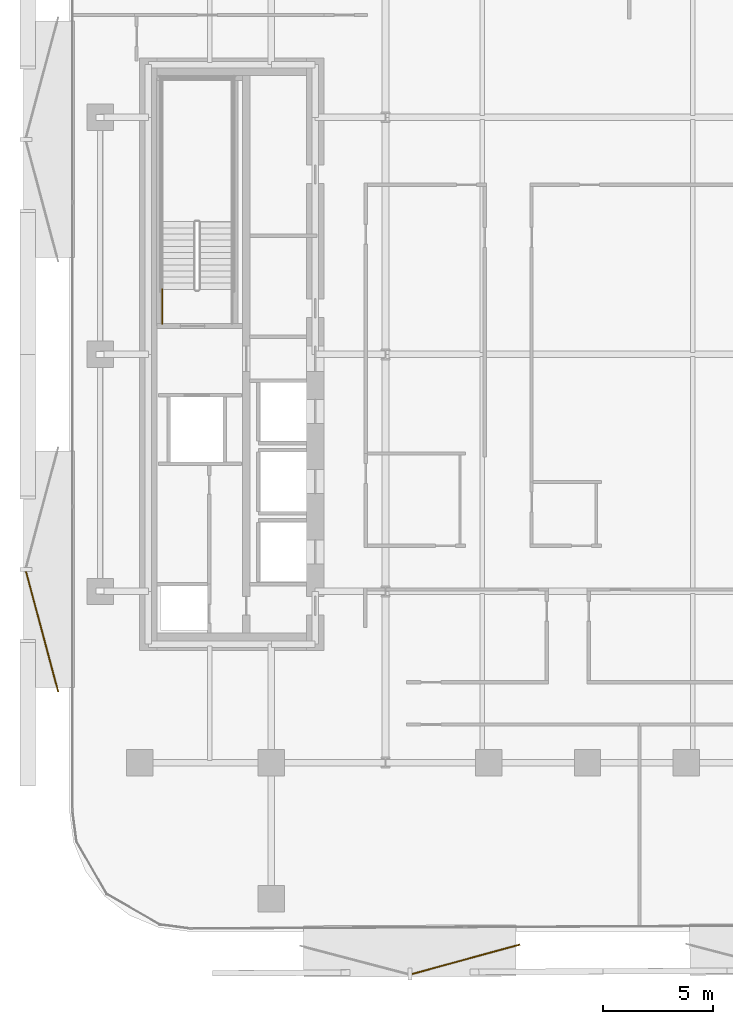
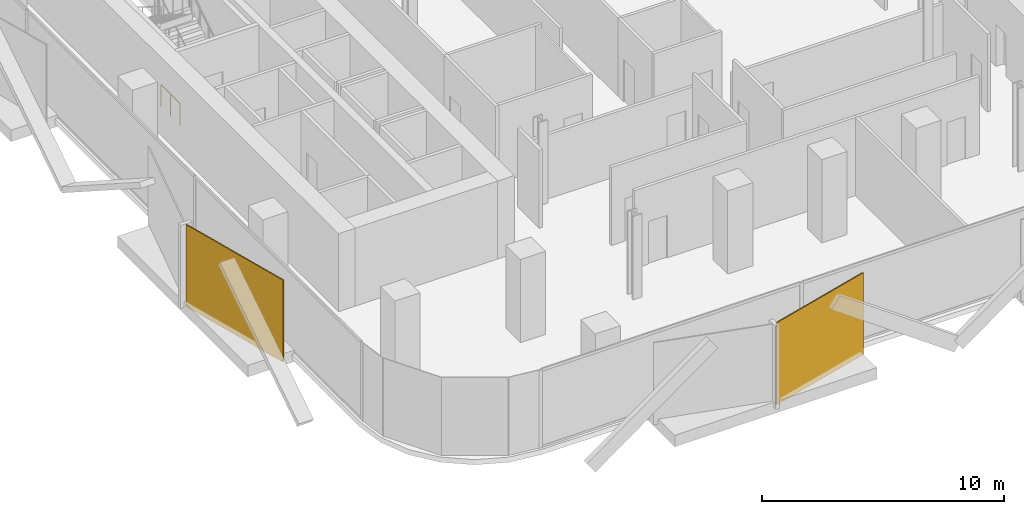
# One storey, part 11 of 15: 2 coverings, 1 railing.
"""IFC4 building model written with IfcOpenShell, lengths in metres."""

from ifc_helpers import new_model, si_unit, direction, frame, origin, origin_2d, place, context, subcontext, project, spatial, rectangle, circle, extrude, material, layer, layer_set, type_object, element, save


model = new_model("IFC4")

# Units and contexts
model_context = context("Model", 3, precision=1e-05, world=origin(), true_north=direction((0.0, 1.0)))
body_context = subcontext(model_context, "Body", "Model", "MODEL_VIEW")
ifc_project = project(units=[si_unit("LENGTHUNIT", "METRE"), si_unit("AREAUNIT", "SQUARE_METRE"), si_unit("VOLUMEUNIT", "CUBIC_METRE"), si_unit("PLANEANGLEUNIT", "RADIAN"), si_unit("MASSUNIT", "GRAM", prefix="KILO")], contexts=[model_context])

# Site, building, storey
site_placement = place(None, origin())
site = spatial("IfcSite", under=ifc_project, at=site_placement, CompositionType="ELEMENT")
building_placement = place(site_placement, origin())
building = spatial("IfcBuilding", under=site, at=building_placement, Name="Khairoan Windgate Tower", CompositionType="ELEMENT")
storey_placement = place(building_placement, frame((0.0, 0.0, 105.800048828125)))
storey = spatial("IfcBuildingStorey", under=building, at=storey_placement, Name="L24", CompositionType="ELEMENT", Elevation=105.800048828125)

# Coverings
ifc_material_1 = material(Name="Anodised Bronze Aluminium 6063-T6", Category="aluminium")
ifc_layer = layer(ifc_material_1, 0.054931640625, Name="Anodised Bronze Aluminium 6063-T6")
ifc_layer_set = layer_set([ifc_layer], Name="Anodised Bronze Aluminium 6063-T6")
covering_type = type_object("IfcCoveringType", Name="Perforated Bronze-Ceramic Folded Solar Screen Cladding BSC-1", PredefinedType="CLADDING", material=ifc_layer_set)
covering_1_placement = place(storey_placement, frame((-5.53564453125, -27.55859375, -0.10009765625), z_axis=(0.0, 0.0, 1.0), x_axis=(-0.964649468762, -0.263536339841, 0.0)))
element("IfcCovering", 1, at=covering_1_placement, inside=storey, type_object=covering_type, Name="L24 Folded Bronze Solar Screen Facet 138L", PredefinedType="CLADDING", context=body_context, shape_type="SweptSolid", body=[
    extrude(rectangle(XDim=5.10107421875, YDim=0.054931640625, at=origin_2d()), origin(), (0.0, 0.0, 1.0), 4.139892578125),
])
covering_2_placement = place(storey_placement, frame((-24.8447265625, -12.629150390625, -0.10009765625), z_axis=(0.0, 0.0, 1.0), x_axis=(-0.258819045103, 0.965925826289, 0.0)))
element("IfcCovering", 2, at=covering_2_placement, inside=storey, type_object=covering_type, Name="L24 Folded Bronze Solar Screen Facet 139L", PredefinedType="CLADDING", context=body_context, shape_type="SweptSolid", body=[
    extrude(rectangle(XDim=5.680908203125, YDim=0.054931640625, at=origin_2d()), origin(), (0.0, 0.0, 1.0), 4.139892578125),
])

# Railing
ifc_material_2 = material(Name="Steel S355", Category="steel")
railing_type = type_object("IfcRailingType", Name="Stairwell Safety Guardrail SGR-1150", PredefinedType="GUARDRAIL", material=ifc_material_2)
railing_placement = place(storey_placement, frame((-19.3701171875, 1.39990234375, 0.0)))
element("IfcRailing", 3, at=railing_placement, inside=storey, type_object=railing_type, Name="L24 ST2 stair guard 9", PredefinedType="GUARDRAIL", context=body_context, shape_type="SweptSolid", body=[
    extrude(circle(Radius=0.02392578125, at=origin_2d()), frame((0.0, 0.0, 1.1259765625), z_axis=(0.0, 1.0, 0.0), x_axis=(-1.0, 0.0, 0.0)), (0.0, 0.0, 1.0), 1.56005859375),
    extrude(circle(Radius=0.02099609375, at=origin_2d()), origin(), (0.0, 0.0, 1.0), 1.101806640625),
    extrude(circle(Radius=0.02099609375, at=origin_2d()), frame((0.0, 0.780029296875, 0.0)), (0.0, 0.0, 1.0), 1.101806640625),
    extrude(circle(Radius=0.02099609375, at=origin_2d()), frame((0.0, 1.56005859375, 0.0)), (0.0, 0.0, 1.0), 1.101806640625),
])

save(model, "model.ifc")
